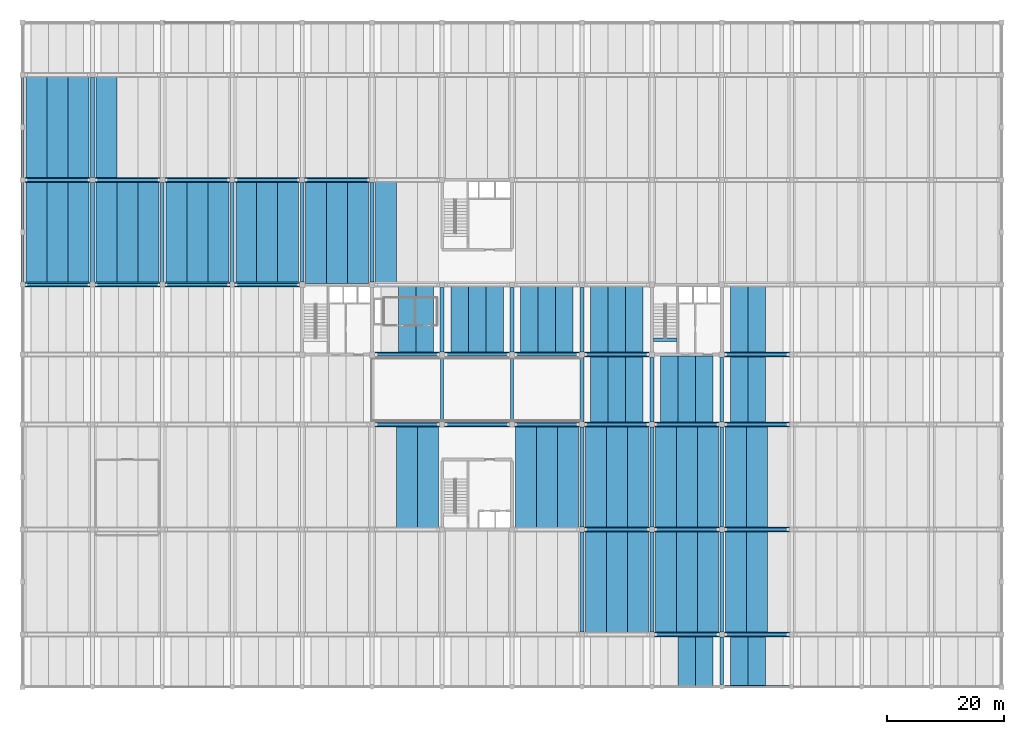
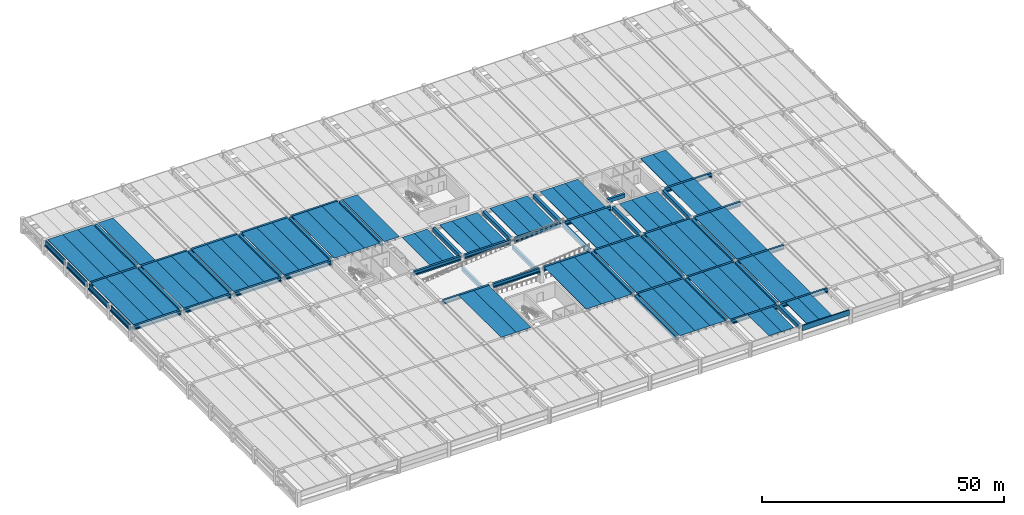
# One storey, part 3 of 19: 118 beams.
"""IFC4 building model written with IfcOpenShell, lengths in metres."""

from ifc_helpers import new_model, si_unit, direction, frame, origin, origin_2d, place, context, subcontext, project, spatial, polyline, rectangle, outline, extrude, material, material_profile, profile_set, type_object, element, save


model = new_model("IFC4")

# Units and contexts
model_context = context("Model", 3, precision=1e-05, world=origin(), true_north=direction((0.0, 1.0)))
body_context = subcontext(model_context, "Body", "Model", "MODEL_VIEW")
ifc_project = project(units=[si_unit("LENGTHUNIT", "METRE"), si_unit("AREAUNIT", "SQUARE_METRE"), si_unit("VOLUMEUNIT", "CUBIC_METRE"), si_unit("PLANEANGLEUNIT", "RADIAN"), si_unit("MASSUNIT", "GRAM", prefix="KILO")], contexts=[model_context])

# Site, building, storey
site_placement = place(None, origin())
site = spatial("IfcSite", under=ifc_project, at=site_placement, CompositionType="ELEMENT")
building_placement = place(site_placement, origin())
building = spatial("IfcBuilding", under=site, at=building_placement, Name="Girod Span Mobility Hub", CompositionType="ELEMENT")
storey_placement = place(building_placement, frame((0.0, 0.0, 9.60009765625)))
storey = spatial("IfcBuildingStorey", under=building, at=storey_placement, Name="L02", CompositionType="ELEMENT", Elevation=9.60009765625)

# Beams
ifc_material_1 = material(Name="Concrete C50/60", Category="concrete")
ifc_material_profile_1 = material_profile(ifc_material_1, outline(polyline([(-1.5, 0.35009765625), (-1.5, 0.2548828125), (-0.840087890625, 0.2548828125), (-0.81494140625, -0.35009765625), (-0.68505859375, -0.35009765625), (-0.659912109375, 0.2548828125), (0.659912109375, 0.2548828125), (0.68505859375, -0.35009765625), (0.81494140625, -0.35009765625), (0.840087890625, 0.2548828125), (1.5, 0.2548828125), (1.5, 0.35009765625), (-1.5, 0.35009765625)])), Name="DT-3000X700")
ifc_profile_set_1 = profile_set([ifc_material_profile_1], Name="Concrete C50/60")
beam_type_1 = type_object("IfcBeamType", Name="BM-DT-3000X700", PredefinedType="JOIST", material=ifc_profile_set_1)
for number, where, z_axis, x_axis, name in (
    (1, (66.0, 57.2470703125, 3.284912109375), (0.0, 1.0, 0.0), (-1.0, 0.0, 0.0), "Double-Tee Deck 6/E-2 L02"),
    (2, (69.0, 57.2470703125, 3.284912109375), (0.0, 1.0, 0.0), (-1.0, 0.0, 0.0), "Double-Tee Deck 6/E-3 L02"),
    (3, (75.0, 57.2470703125, 3.284912109375), (0.0, 1.0, 0.0), (-1.0, 0.0, 0.0), "Double-Tee Deck 7/E-1 L02"),
    (4, (78.0, 57.2470703125, 3.284912109375), (0.0, 1.0, 0.0), (-1.0, 0.0, 0.0), "Double-Tee Deck 7/E-2 L02"),
    (5, (81.0, 57.2470703125, 3.284912109375), (0.0, 1.0, 0.0), (-1.0, 0.0, 0.0), "Double-Tee Deck 7/E-3 L02"),
    (6, (87.0, 57.2470703125, 3.284912109375), (0.0, 1.0, 0.0), (-1.0, 0.0, 0.0), "Double-Tee Deck 8/E-1 L02"),
    (7, (90.0, 57.2470703125, 3.284912109375), (0.0, 1.0, 0.0), (-1.0, 0.0, 0.0), "Double-Tee Deck 8/E-2 L02"),
    (8, (93.0, 57.2470703125, 3.284912109375), (0.0, 1.0, 0.0), (-1.0, 0.0, 0.0), "Double-Tee Deck 8/E-3 L02"),
    (9, (99.0, 45.2470703125, 3.284912109375), (0.0, 1.0, 0.0), (-1.0, 0.0, 0.0), "Double-Tee Deck 9/D-1 L02"),
    (10, (102.0, 45.2470703125, 3.284912109375), (0.0, 1.0, 0.0), (-1.0, 0.0, 0.0), "Double-Tee Deck 9/D-2 L02"),
    (11, (105.0, 45.2470703125, 3.284912109375), (0.0, 1.0, 0.0), (-1.0, 0.0, 0.0), "Double-Tee Deck 9/D-3 L02"),
    (12, (99.0, 57.2470703125, 3.284912109375), (0.0, 1.0, 0.0), (-1.0, 0.0, 0.0), "Double-Tee Deck 9/E-1 L02"),
    (13, (102.0, 57.2470703125, 3.284912109375), (0.0, 1.0, 0.0), (-1.0, 0.0, 0.0), "Double-Tee Deck 9/E-2 L02"),
    (14, (105.0, 57.2470703125, 3.284912109375), (0.0, 1.0, 0.0), (-1.0, 0.0, 0.0), "Double-Tee Deck 9/E-3 L02"),
):
    element("IfcBeam", number, at=place(storey_placement, frame(where, z_axis=z_axis, x_axis=x_axis)), inside=storey, type_object=beam_type_1, Name=name, PredefinedType="JOIST", context=body_context, shape_type="SweptSolid", body=[
        extrude(outline(polyline([(-1.5, 0.35009765625), (-1.5, 0.2548828125), (-0.840087890625, 0.2548828125), (-0.81494140625, -0.35009765625), (-0.68505859375, -0.35009765625), (-0.659912109375, 0.2548828125), (0.659912109375, 0.2548828125), (0.68505859375, -0.35009765625), (0.81494140625, -0.35009765625), (0.840087890625, 0.2548828125), (1.5, 0.2548828125), (1.5, 0.35009765625), (-1.5, 0.35009765625)])), origin(), (0.0, 0.0, 1.0), 11.505859375),
    ])
for number, where, z_axis, x_axis, name in (
    (15, (114.0, 0.02197265625, 3.284912109375), (0.0, 1.0, 0.0), (-1.0, 0.0, 0.0), "Double-Tee Deck 10/A-2 L02"),
    (16, (117.0, 0.02197265625, 3.284912109375), (0.0, 1.0, 0.0), (-1.0, 0.0, 0.0), "Double-Tee Deck 10/A-3 L02"),
):
    element("IfcBeam", number, at=place(storey_placement, frame(where, z_axis=z_axis, x_axis=x_axis)), inside=storey, type_object=beam_type_1, Name=name, PredefinedType="JOIST", context=body_context, shape_type="SweptSolid", body=[
        extrude(outline(polyline([(-1.5, 0.35009765625), (-1.5, 0.2548828125), (-0.840087890625, 0.2548828125), (-0.81494140625, -0.35009765625), (-0.68505859375, -0.35009765625), (-0.659912109375, 0.2548828125), (0.659912109375, 0.2548828125), (0.68505859375, -0.35009765625), (0.81494140625, -0.35009765625), (0.840087890625, 0.2548828125), (1.5, 0.2548828125), (1.5, 0.35009765625), (-1.5, 0.35009765625)])), origin(), (0.0, 0.0, 1.0), 8.73095703125),
    ])
for number, where, z_axis, x_axis, name in (
    (17, (111.0, 45.2470703125, 3.284912109375), (0.0, 1.0, 0.0), (-1.0, 0.0, 0.0), "Double-Tee Deck 10/D-1 L02"),
    (18, (114.0, 45.2470703125, 3.284912109375), (0.0, 1.0, 0.0), (-1.0, 0.0, 0.0), "Double-Tee Deck 10/D-2 L02"),
    (19, (117.0, 45.2470703125, 3.284912109375), (0.0, 1.0, 0.0), (-1.0, 0.0, 0.0), "Double-Tee Deck 10/D-3 L02"),
):
    element("IfcBeam", number, at=place(storey_placement, frame(where, z_axis=z_axis, x_axis=x_axis)), inside=storey, type_object=beam_type_1, Name=name, PredefinedType="JOIST", context=body_context, shape_type="SweptSolid", body=[
        extrude(outline(polyline([(-1.5, 0.35009765625), (-1.5, 0.2548828125), (-0.840087890625, 0.2548828125), (-0.81494140625, -0.35009765625), (-0.68505859375, -0.35009765625), (-0.659912109375, 0.2548828125), (0.659912109375, 0.2548828125), (0.68505859375, -0.35009765625), (0.81494140625, -0.35009765625), (0.840087890625, 0.2548828125), (1.5, 0.2548828125), (1.5, 0.35009765625), (-1.5, 0.35009765625)])), origin(), (0.0, 0.0, 1.0), 11.505859375),
    ])
for number, where, z_axis, x_axis, name in (
    (20, (123.0, 0.02197265625, 3.284912109375), (0.0, 1.0, 0.0), (-1.0, 0.0, 0.0), "Double-Tee Deck 11/A-1 L02"),
    (21, (126.0, 0.02197265625, 3.284912109375), (0.0, 1.0, 0.0), (-1.0, 0.0, 0.0), "Double-Tee Deck 11/A-2 L02"),
):
    element("IfcBeam", number, at=place(storey_placement, frame(where, z_axis=z_axis, x_axis=x_axis)), inside=storey, type_object=beam_type_1, Name=name, PredefinedType="JOIST", context=body_context, shape_type="SweptSolid", body=[
        extrude(outline(polyline([(-1.5, 0.35009765625), (-1.5, 0.2548828125), (-0.840087890625, 0.2548828125), (-0.81494140625, -0.35009765625), (-0.68505859375, -0.35009765625), (-0.659912109375, 0.2548828125), (0.659912109375, 0.2548828125), (0.68505859375, -0.35009765625), (0.81494140625, -0.35009765625), (0.840087890625, 0.2548828125), (1.5, 0.2548828125), (1.5, 0.35009765625), (-1.5, 0.35009765625)])), origin(), (0.0, 0.0, 1.0), 8.73095703125),
    ])
for number, where, z_axis, x_axis, name in (
    (22, (123.0, 45.2470703125, 3.284912109375), (0.0, 1.0, 0.0), (-1.0, 0.0, 0.0), "Double-Tee Deck 11/D-1 L02"),
    (23, (126.0, 45.2470703125, 3.284912109375), (0.0, 1.0, 0.0), (-1.0, 0.0, 0.0), "Double-Tee Deck 11/D-2 L02"),
    (24, (123.0, 57.2470703125, 3.284912109375), (0.0, 1.0, 0.0), (-1.0, 0.0, 0.0), "Double-Tee Deck 11/E-1 L02"),
    (25, (126.0, 57.2470703125, 3.284912109375), (0.0, 1.0, 0.0), (-1.0, 0.0, 0.0), "Double-Tee Deck 11/E-2 L02"),
):
    element("IfcBeam", number, at=place(storey_placement, frame(where, z_axis=z_axis, x_axis=x_axis)), inside=storey, type_object=beam_type_1, Name=name, PredefinedType="JOIST", context=body_context, shape_type="SweptSolid", body=[
        extrude(outline(polyline([(-1.5, 0.35009765625), (-1.5, 0.2548828125), (-0.840087890625, 0.2548828125), (-0.81494140625, -0.35009765625), (-0.68505859375, -0.35009765625), (-0.659912109375, 0.2548828125), (0.659912109375, 0.2548828125), (0.68505859375, -0.35009765625), (0.81494140625, -0.35009765625), (0.840087890625, 0.2548828125), (1.5, 0.2548828125), (1.5, 0.35009765625), (-1.5, 0.35009765625)])), origin(), (0.0, 0.0, 1.0), 11.505859375),
    ])
ifc_material_2 = material(Name="Concrete C50/60", Category="concrete")
ifc_material_profile_2 = material_profile(ifc_material_2, outline(polyline([(-1.800048828125, 0.425048828125), (-1.800048828125, 0.324951171875), (-1.0, 0.324951171875), (-0.969970703125, -0.425048828125), (-0.830078125, -0.425048828125), (-0.800048828125, 0.324951171875), (0.800048828125, 0.324951171875), (0.830078125, -0.425048828125), (0.969970703125, -0.425048828125), (1.0, 0.324951171875), (1.800048828125, 0.324951171875), (1.800048828125, 0.425048828125), (-1.800048828125, 0.425048828125)])), Name="DT-3600X850")
ifc_profile_set_2 = profile_set([ifc_material_profile_2], Name="Concrete C50/60")
beam_type_2 = type_object("IfcBeamType", Name="BM-DT-3600X850", PredefinedType="JOIST", material=ifc_profile_set_2)
for number, where, z_axis, x_axis, name in (
    (26, (2.39990234375, 69.2470703125, 3.2099609375), (0.0, 1.0, 0.0), (-1.0, 0.0, 0.0), "Double-Tee Deck 1/F-1 L02"),
    (27, (6.0, 69.2470703125, 3.2099609375), (0.0, 1.0, 0.0), (-1.0, 0.0, 0.0), "Double-Tee Deck 1/F-2 L02"),
    (28, (9.60009765625, 69.2470703125, 3.2099609375), (0.0, 1.0, 0.0), (-1.0, 0.0, 0.0), "Double-Tee Deck 1/F-3 L02"),
    (29, (2.39990234375, 87.2470703125, 3.2099609375), (0.0, 1.0, 0.0), (-1.0, 0.0, 0.0), "Double-Tee Deck 1/G-1 L02"),
    (30, (6.0, 87.2470703125, 3.2099609375), (0.0, 1.0, 0.0), (-1.0, 0.0, 0.0), "Double-Tee Deck 1/G-2 L02"),
    (31, (9.60009765625, 87.2470703125, 3.2099609375), (0.0, 1.0, 0.0), (-1.0, 0.0, 0.0), "Double-Tee Deck 1/G-3 L02"),
    (32, (14.39990234375, 69.2470703125, 3.2099609375), (0.0, 1.0, 0.0), (-1.0, 0.0, 0.0), "Double-Tee Deck 2/F-1 L02"),
    (33, (18.0, 69.2470703125, 3.2099609375), (0.0, 1.0, 0.0), (-1.0, 0.0, 0.0), "Double-Tee Deck 2/F-2 L02"),
    (34, (21.60009765625, 69.2470703125, 3.2099609375), (0.0, 1.0, 0.0), (-1.0, 0.0, 0.0), "Double-Tee Deck 2/F-3 L02"),
    (35, (14.39990234375, 87.2470703125, 3.2099609375), (0.0, 1.0, 0.0), (-1.0, 0.0, 0.0), "Double-Tee Deck 2/G-1 L02"),
    (36, (26.39990234375, 69.2470703125, 3.2099609375), (0.0, 1.0, 0.0), (-1.0, 0.0, 0.0), "Double-Tee Deck 3/F-1 L02"),
    (37, (30.0, 69.2470703125, 3.2099609375), (0.0, 1.0, 0.0), (-1.0, 0.0, 0.0), "Double-Tee Deck 3/F-2 L02"),
    (38, (33.60009765625, 69.2470703125, 3.2099609375), (0.0, 1.0, 0.0), (-1.0, 0.0, 0.0), "Double-Tee Deck 3/F-3 L02"),
    (39, (38.39990234375, 69.2470703125, 3.2099609375), (0.0, 1.0, 0.0), (-1.0, 0.0, 0.0), "Double-Tee Deck 4/F-1 L02"),
    (40, (42.0, 69.2470703125, 3.2099609375), (0.0, 1.0, 0.0), (-1.0, 0.0, 0.0), "Double-Tee Deck 4/F-2 L02"),
    (41, (45.60009765625, 69.2470703125, 3.2099609375), (0.0, 1.0, 0.0), (-1.0, 0.0, 0.0), "Double-Tee Deck 4/F-3 L02"),
    (42, (50.39990234375, 69.2470703125, 3.2099609375), (0.0, 1.0, 0.0), (-1.0, 0.0, 0.0), "Double-Tee Deck 5/F-1 L02"),
    (43, (54.0, 69.2470703125, 3.2099609375), (0.0, 1.0, 0.0), (-1.0, 0.0, 0.0), "Double-Tee Deck 5/F-2 L02"),
    (44, (57.60009765625, 69.2470703125, 3.2099609375), (0.0, 1.0, 0.0), (-1.0, 0.0, 0.0), "Double-Tee Deck 5/F-3 L02"),
    (45, (66.0, 27.2470703125, 3.2099609375), (0.0, 1.0, 0.0), (-1.0, 0.0, 0.0), "Double-Tee Deck 6/C-2 L02"),
    (46, (69.60009765625, 27.2470703125, 3.2099609375), (0.0, 1.0, 0.0), (-1.0, 0.0, 0.0), "Double-Tee Deck 6/C-3 L02"),
    (47, (62.39990234375, 69.2470703125, 3.2099609375), (0.0, 1.0, 0.0), (-1.0, 0.0, 0.0), "Double-Tee Deck 6/F-1 L02"),
    (48, (86.39990234375, 27.2470703125, 3.2099609375), (0.0, 1.0, 0.0), (-1.0, 0.0, 0.0), "Double-Tee Deck 8/C-1 L02"),
    (49, (90.0, 27.2470703125, 3.2099609375), (0.0, 1.0, 0.0), (-1.0, 0.0, 0.0), "Double-Tee Deck 8/C-2 L02"),
    (50, (93.60009765625, 27.2470703125, 3.2099609375), (0.0, 1.0, 0.0), (-1.0, 0.0, 0.0), "Double-Tee Deck 8/C-3 L02"),
    (51, (98.39990234375, 9.2470703125, 3.2099609375), (0.0, 1.0, 0.0), (-1.0, 0.0, 0.0), "Double-Tee Deck 9/B-1 L02"),
    (52, (102.0, 9.2470703125, 3.2099609375), (0.0, 1.0, 0.0), (-1.0, 0.0, 0.0), "Double-Tee Deck 9/B-2 L02"),
    (53, (105.60009765625, 9.2470703125, 3.2099609375), (0.0, 1.0, 0.0), (-1.0, 0.0, 0.0), "Double-Tee Deck 9/B-3 L02"),
    (54, (98.39990234375, 27.2470703125, 3.2099609375), (0.0, 1.0, 0.0), (-1.0, 0.0, 0.0), "Double-Tee Deck 9/C-1 L02"),
    (55, (102.0, 27.2470703125, 3.2099609375), (0.0, 1.0, 0.0), (-1.0, 0.0, 0.0), "Double-Tee Deck 9/C-2 L02"),
    (56, (105.60009765625, 27.2470703125, 3.2099609375), (0.0, 1.0, 0.0), (-1.0, 0.0, 0.0), "Double-Tee Deck 9/C-3 L02"),
    (57, (110.39990234375, 9.2470703125, 3.2099609375), (0.0, 1.0, 0.0), (-1.0, 0.0, 0.0), "Double-Tee Deck 10/B-1 L02"),
    (58, (114.0, 9.2470703125, 3.2099609375), (0.0, 1.0, 0.0), (-1.0, 0.0, 0.0), "Double-Tee Deck 10/B-2 L02"),
    (59, (117.60009765625, 9.2470703125, 3.2099609375), (0.0, 1.0, 0.0), (-1.0, 0.0, 0.0), "Double-Tee Deck 10/B-3 L02"),
    (60, (110.39990234375, 27.2470703125, 3.2099609375), (0.0, 1.0, 0.0), (-1.0, 0.0, 0.0), "Double-Tee Deck 10/C-1 L02"),
    (61, (114.0, 27.2470703125, 3.2099609375), (0.0, 1.0, 0.0), (-1.0, 0.0, 0.0), "Double-Tee Deck 10/C-2 L02"),
    (62, (117.60009765625, 27.2470703125, 3.2099609375), (0.0, 1.0, 0.0), (-1.0, 0.0, 0.0), "Double-Tee Deck 10/C-3 L02"),
    (63, (122.39990234375, 9.2470703125, 3.2099609375), (0.0, 1.0, 0.0), (-1.0, 0.0, 0.0), "Double-Tee Deck 11/B-1 L02"),
    (64, (126.0, 9.2470703125, 3.2099609375), (0.0, 1.0, 0.0), (-1.0, 0.0, 0.0), "Double-Tee Deck 11/B-2 L02"),
    (65, (122.39990234375, 27.2470703125, 3.2099609375), (0.0, 1.0, 0.0), (-1.0, 0.0, 0.0), "Double-Tee Deck 11/C-1 L02"),
    (66, (126.0, 27.2470703125, 3.2099609375), (0.0, 1.0, 0.0), (-1.0, 0.0, 0.0), "Double-Tee Deck 11/C-2 L02"),
):
    element("IfcBeam", number, at=place(storey_placement, frame(where, z_axis=z_axis, x_axis=x_axis)), inside=storey, type_object=beam_type_2, Name=name, PredefinedType="JOIST", context=body_context, shape_type="SweptSolid", body=[
        extrude(outline(polyline([(-1.800048828125, 0.425048828125), (-1.800048828125, 0.324951171875), (-1.0, 0.324951171875), (-0.969970703125, -0.425048828125), (-0.830078125, -0.425048828125), (-0.800048828125, 0.324951171875), (0.800048828125, 0.324951171875), (0.830078125, -0.425048828125), (0.969970703125, -0.425048828125), (1.0, 0.324951171875), (1.800048828125, 0.324951171875), (1.800048828125, 0.425048828125), (-1.800048828125, 0.425048828125)])), origin(), (0.0, 0.0, 1.0), 17.505859375),
    ])
ifc_material_3 = material(Name="Concrete C50/60", Category="concrete")
ifc_material_profile_3 = material_profile(ifc_material_3, outline(polyline([(-0.425048828125, -0.47509765625), (0.425048828125, -0.47509765625), (0.425048828125, -0.155029296875), (0.25, -0.155029296875), (0.25, 0.47509765625), (-0.25, 0.47509765625), (-0.25, -0.155029296875), (-0.425048828125, -0.155029296875), (-0.425048828125, -0.47509765625)])), Name="IT-850X950")
ifc_profile_set_3 = profile_set([ifc_material_profile_3], Name="Concrete C50/60")
beam_type_3 = type_object("IfcBeamType", Name="BM-IT-850X950", PredefinedType="T_BEAM", material=ifc_profile_set_3)
for number, where, z_axis, x_axis, name in (
    (67, (108.422119140625, 9.0, 3.159912109375), (1.0, 0.0, 0.0), (0.0, 1.0, 0.0), "Girder 10-11/B L02"),
    (68, (120.422119140625, 9.0, 3.159912109375), (1.0, 0.0, 0.0), (0.0, 1.0, 0.0), "Girder 11-12/B L02"),
    (69, (96.422119140625, 27.0, 3.159912109375), (1.0, 0.0, 0.0), (0.0, 1.0, 0.0), "Girder 9-10/C L02"),
    (70, (108.422119140625, 27.0, 3.159912109375), (1.0, 0.0, 0.0), (0.0, 1.0, 0.0), "Girder 10-11/C L02"),
    (71, (120.422119140625, 27.0, 3.159912109375), (1.0, 0.0, 0.0), (0.0, 1.0, 0.0), "Girder 11-12/C L02"),
):
    element("IfcBeam", number, at=place(storey_placement, frame(where, z_axis=z_axis, x_axis=x_axis)), inside=storey, type_object=beam_type_3, Name=name, PredefinedType="T_BEAM", context=body_context, shape_type="SweptSolid", body=[
        extrude(outline(polyline([(-0.425048828125, -0.47509765625), (0.425048828125, -0.47509765625), (0.425048828125, -0.155029296875), (0.25, -0.155029296875), (0.25, 0.47509765625), (-0.25, 0.47509765625), (-0.25, -0.155029296875), (-0.425048828125, -0.155029296875), (-0.425048828125, -0.47509765625)])), origin(), (0.0, 0.0, 1.0), 11.15576171875),
    ])
for number, where, z_axis, x_axis, name in (
    (72, (60.447021484375, 45.0, 3.159912109375), (1.0, 0.0, 0.0), (0.0, 1.0, 0.0), "Girder 6-7/D L02"),
    (73, (72.447021484375, 45.0, 3.159912109375), (1.0, 0.0, 0.0), (0.0, 1.0, 0.0), "Girder 7-8/D L02"),
    (74, (84.447021484375, 45.0, 3.159912109375), (1.0, 0.0, 0.0), (0.0, 1.0, 0.0), "Girder 8-9/D L02"),
    (75, (96.447021484375, 45.0, 3.159912109375), (1.0, 0.0, 0.0), (0.0, 1.0, 0.0), "Girder 9-10/D L02"),
    (76, (108.447021484375, 45.0, 3.159912109375), (1.0, 0.0, 0.0), (0.0, 1.0, 0.0), "Girder 10-11/D L02"),
):
    element("IfcBeam", number, at=place(storey_placement, frame(where, z_axis=z_axis, x_axis=x_axis)), inside=storey, type_object=beam_type_3, Name=name, PredefinedType="T_BEAM", context=body_context, shape_type="SweptSolid", body=[
        extrude(outline(polyline([(-0.425048828125, -0.47509765625), (0.425048828125, -0.47509765625), (0.425048828125, -0.155029296875), (0.25, -0.155029296875), (0.25, 0.47509765625), (-0.25, 0.47509765625), (-0.25, -0.155029296875), (-0.425048828125, -0.155029296875), (-0.425048828125, -0.47509765625)])), origin(), (0.0, 0.0, 1.0), 11.10595703125),
    ])
beam_1_placement = place(storey_placement, frame((120.447021484375, 45.0, 3.159912109375), z_axis=(1.0, 0.0, 0.0), x_axis=(0.0, 1.0, 0.0)))
element("IfcBeam", 77, at=beam_1_placement, inside=storey, type_object=beam_type_3, Name="Girder 11-12/D L02", PredefinedType="T_BEAM", context=body_context, shape_type="SweptSolid", body=[
    extrude(outline(polyline([(-0.425048828125, -0.47509765625), (0.425048828125, -0.47509765625), (0.425048828125, -0.155029296875), (0.25, -0.155029296875), (0.25, 0.47509765625), (-0.25, 0.47509765625), (-0.25, -0.155029296875), (-0.425048828125, -0.155029296875), (-0.425048828125, -0.47509765625)])), origin(), (0.0, 0.0, 1.0), 11.130859375),
])
for number, where, z_axis, x_axis, name in (
    (78, (60.447021484375, 57.0, 3.159912109375), (1.0, 0.0, 0.0), (0.0, 1.0, 0.0), "Girder 6-7/E L02"),
    (79, (72.447021484375, 57.0, 3.159912109375), (1.0, 0.0, 0.0), (0.0, 1.0, 0.0), "Girder 7-8/E L02"),
    (80, (84.447021484375, 57.0, 3.159912109375), (1.0, 0.0, 0.0), (0.0, 1.0, 0.0), "Girder 8-9/E L02"),
    (81, (96.447021484375, 57.0, 3.159912109375), (1.0, 0.0, 0.0), (0.0, 1.0, 0.0), "Girder 9-10/E L02"),
):
    element("IfcBeam", number, at=place(storey_placement, frame(where, z_axis=z_axis, x_axis=x_axis)), inside=storey, type_object=beam_type_3, Name=name, PredefinedType="T_BEAM", context=body_context, shape_type="SweptSolid", body=[
        extrude(outline(polyline([(-0.425048828125, -0.47509765625), (0.425048828125, -0.47509765625), (0.425048828125, -0.155029296875), (0.25, -0.155029296875), (0.25, 0.47509765625), (-0.25, 0.47509765625), (-0.25, -0.155029296875), (-0.425048828125, -0.155029296875), (-0.425048828125, -0.47509765625)])), origin(), (0.0, 0.0, 1.0), 11.10595703125),
    ])
beam_2_placement = place(storey_placement, frame((120.447021484375, 57.0, 3.159912109375), z_axis=(1.0, 0.0, 0.0), x_axis=(0.0, 1.0, 0.0)))
element("IfcBeam", 82, at=beam_2_placement, inside=storey, type_object=beam_type_3, Name="Girder 11-12/E L02", PredefinedType="T_BEAM", context=body_context, shape_type="SweptSolid", body=[
    extrude(outline(polyline([(-0.425048828125, -0.47509765625), (0.425048828125, -0.47509765625), (0.425048828125, -0.155029296875), (0.25, -0.155029296875), (0.25, 0.47509765625), (-0.25, 0.47509765625), (-0.25, -0.155029296875), (-0.425048828125, -0.155029296875), (-0.425048828125, -0.47509765625)])), origin(), (0.0, 0.0, 1.0), 11.130859375),
])
for number, where, z_axis, x_axis, name in (
    (83, (0.422119140625, 69.0, 3.159912109375), (1.0, 0.0, 0.0), (0.0, 1.0, 0.0), "Girder 1-2/F L02"),
    (84, (12.422119140625, 69.0, 3.159912109375), (1.0, 0.0, 0.0), (0.0, 1.0, 0.0), "Girder 2-3/F L02"),
    (85, (24.422119140625, 69.0, 3.159912109375), (1.0, 0.0, 0.0), (0.0, 1.0, 0.0), "Girder 3-4/F L02"),
):
    element("IfcBeam", number, at=place(storey_placement, frame(where, z_axis=z_axis, x_axis=x_axis)), inside=storey, type_object=beam_type_3, Name=name, PredefinedType="T_BEAM", context=body_context, shape_type="SweptSolid", body=[
        extrude(outline(polyline([(-0.425048828125, -0.47509765625), (0.425048828125, -0.47509765625), (0.425048828125, -0.155029296875), (0.25, -0.155029296875), (0.25, 0.47509765625), (-0.25, 0.47509765625), (-0.25, -0.155029296875), (-0.425048828125, -0.155029296875), (-0.425048828125, -0.47509765625)])), origin(), (0.0, 0.0, 1.0), 11.15576171875),
    ])
beam_3_placement = place(storey_placement, frame((36.422119140625, 69.0, 3.159912109375), z_axis=(1.0, 0.0, 0.0), x_axis=(0.0, 1.0, 0.0)))
element("IfcBeam", 86, at=beam_3_placement, inside=storey, type_object=beam_type_3, Name="Girder 4-5/F L02", PredefinedType="T_BEAM", context=body_context, shape_type="SweptSolid", body=[
    extrude(outline(polyline([(-0.425048828125, -0.47509765625), (0.425048828125, -0.47509765625), (0.425048828125, -0.155029296875), (0.25, -0.155029296875), (0.25, 0.47509765625), (-0.25, 0.47509765625), (-0.25, -0.155029296875), (-0.425048828125, -0.155029296875), (-0.425048828125, -0.47509765625)])), origin(), (0.0, 0.0, 1.0), 11.130859375),
])
for number, where, z_axis, x_axis, name in (
    (87, (0.422119140625, 87.0, 3.159912109375), (1.0, 0.0, 0.0), (0.0, 1.0, 0.0), "Girder 1-2/G L02"),
    (88, (12.422119140625, 87.0, 3.159912109375), (1.0, 0.0, 0.0), (0.0, 1.0, 0.0), "Girder 2-3/G L02"),
    (89, (24.422119140625, 87.0, 3.159912109375), (1.0, 0.0, 0.0), (0.0, 1.0, 0.0), "Girder 3-4/G L02"),
    (90, (36.422119140625, 87.0, 3.159912109375), (1.0, 0.0, 0.0), (0.0, 1.0, 0.0), "Girder 4-5/G L02"),
    (91, (48.422119140625, 87.0, 3.159912109375), (1.0, 0.0, 0.0), (0.0, 1.0, 0.0), "Girder 5-6/G L02"),
):
    element("IfcBeam", number, at=place(storey_placement, frame(where, z_axis=z_axis, x_axis=x_axis)), inside=storey, type_object=beam_type_3, Name=name, PredefinedType="T_BEAM", context=body_context, shape_type="SweptSolid", body=[
        extrude(outline(polyline([(-0.425048828125, -0.47509765625), (0.425048828125, -0.47509765625), (0.425048828125, -0.155029296875), (0.25, -0.155029296875), (0.25, 0.47509765625), (-0.25, 0.47509765625), (-0.25, -0.155029296875), (-0.425048828125, -0.155029296875), (-0.425048828125, -0.47509765625)])), origin(), (0.0, 0.0, 1.0), 11.15576171875),
    ])
ifc_material_4 = material(Name="Concrete C40/50", Category="concrete")
ifc_material_profile_4 = material_profile(ifc_material_4, rectangle(XDim=0.550048828125, YDim=0.949951171875, at=origin_2d()), Name="RK-550X950")
ifc_profile_set_4 = profile_set([ifc_material_profile_4], Name="Concrete C40/50")
beam_type_4 = type_object("IfcBeamType", Name="BM-RK-550X950", PredefinedType="BEAM", material=ifc_profile_set_4)
beam_4_placement = place(storey_placement, frame((108.2470703125, 59.550048828125, 3.159912109375), z_axis=(1.0, 0.0, 0.0), x_axis=(0.0, 1.0, 0.0)))
element("IfcBeam", 92, at=beam_4_placement, inside=storey, type_object=beam_type_4, Name="Stair ST-2 Landing Header Beam L02", PredefinedType="BEAM", context=body_context, shape_type="SweptSolid", body=[
    extrude(rectangle(XDim=0.550048828125, YDim=0.949951171875, at=origin_2d()), origin(), (0.0, 0.0, 1.0), 4.055908203125),
])
for number, where, z_axis, x_axis, name in (
    (93, (72.0, 45.447021484375, 0.51171875), (0.0, 1.0, 0.0), (-1.0, 0.0, 0.0), "Vehicular Ramp Support Beam X=72 L02"),
    (94, (84.0, 45.447021484375, 1.7783203125), (0.0, 1.0, 0.0), (-1.0, 0.0, 0.0), "Vehicular Ramp Support Beam X=84 L02"),
):
    element("IfcBeam", number, at=place(storey_placement, frame(where, z_axis=z_axis, x_axis=x_axis)), inside=storey, type_object=beam_type_4, Name=name, PredefinedType="BEAM", context=body_context, shape_type="SweptSolid", body=[
        extrude(rectangle(XDim=0.550048828125, YDim=0.949951171875, at=origin_2d()), origin(), (0.0, 0.0, 1.0), 11.10595703125),
    ])
ifc_material_5 = material(Name="Concrete C40/50", Category="concrete")
ifc_material_profile_5 = material_profile(ifc_material_5, outline(polyline([(-0.22509765625, -0.675048828125), (0.22509765625, -0.675048828125), (0.22509765625, -0.324951171875), (0.02490234375, -0.324951171875), (0.02490234375, 0.675048828125), (-0.22509765625, 0.675048828125), (-0.22509765625, -0.675048828125)])), Name="SP-450X1350")
ifc_profile_set_5 = profile_set([ifc_material_profile_5], Name="Concrete C40/50")
beam_type_5 = type_object("IfcBeamType", Name="BM-SP-450X1350", PredefinedType="SPANDREL", material=ifc_profile_set_5)
beam_5_placement = place(storey_placement, frame((120.422119140625, 0.0, 2.9599609375), z_axis=(1.0, 0.0, 0.0), x_axis=(0.0, 1.0, 0.0)))
element("IfcBeam", 95, at=beam_5_placement, inside=storey, type_object=beam_type_5, Name="Girder 11-12/A L02", PredefinedType="SPANDREL", context=body_context, shape_type="SweptSolid", body=[
    extrude(outline(polyline([(-0.22509765625, -0.675048828125), (0.22509765625, -0.675048828125), (0.22509765625, -0.324951171875), (0.02490234375, -0.324951171875), (0.02490234375, 0.675048828125), (-0.22509765625, 0.675048828125), (-0.22509765625, -0.675048828125)])), origin(), (0.0, 0.0, 1.0), 11.15576171875),
])
for number, where, z_axis, x_axis, name in (
    (96, (0.0, 69.422119140625, 2.9599609375), (0.0, 1.0, 0.0), (-1.0, 0.0, 0.0), "Perimeter Spandrel 1/F-S L02"),
    (97, (0.0, 78.471923828125, 2.9599609375), (0.0, 1.0, 0.0), (-1.0, 0.0, 0.0), "Perimeter Spandrel 1/F-N L02"),
    (98, (0.0, 87.422119140625, 2.9599609375), (0.0, 1.0, 0.0), (-1.0, 0.0, 0.0), "Perimeter Spandrel 1/G-S L02"),
    (99, (0.0, 96.471923828125, 2.9599609375), (0.0, 1.0, 0.0), (-1.0, 0.0, 0.0), "Perimeter Spandrel 1/G-N L02"),
):
    element("IfcBeam", number, at=place(storey_placement, frame(where, z_axis=z_axis, x_axis=x_axis)), inside=storey, type_object=beam_type_5, Name=name, PredefinedType="SPANDREL", context=body_context, shape_type="SweptSolid", body=[
        extrude(outline(polyline([(-0.22509765625, -0.675048828125), (0.22509765625, -0.675048828125), (0.22509765625, -0.324951171875), (0.02490234375, -0.324951171875), (0.02490234375, 0.675048828125), (-0.22509765625, 0.675048828125), (-0.22509765625, -0.675048828125)])), origin(), (0.0, 0.0, 1.0), 8.10595703125),
    ])
ifc_material_6 = material(Name="Concrete C40/50", Category="concrete")
ifc_material_profile_6 = material_profile(ifc_material_6, rectangle(XDim=0.64990234375, YDim=1.0, at=origin_2d()), Name="TG-650X1000")
ifc_profile_set_6 = profile_set([ifc_material_profile_6], Name="Concrete C40/50")
beam_type_6 = type_object("IfcBeamType", Name="BM-TG-650X1000", PredefinedType="T_BEAM", material=ifc_profile_set_6)
for number, where, z_axis, x_axis, name in (
    (100, (12.0, 69.422119140625, 3.135009765625), (0.0, 1.0, 0.0), (-1.0, 0.0, 0.0), "Tie Girder 2/F-G L02"),
    (101, (12.0, 87.422119140625, 3.135009765625), (0.0, 1.0, 0.0), (-1.0, 0.0, 0.0), "Tie Girder 2/G-H L02"),
    (102, (24.0, 69.422119140625, 3.135009765625), (0.0, 1.0, 0.0), (-1.0, 0.0, 0.0), "Tie Girder 3/F-G L02"),
    (103, (36.0, 69.422119140625, 3.135009765625), (0.0, 1.0, 0.0), (-1.0, 0.0, 0.0), "Tie Girder 4/F-G L02"),
):
    element("IfcBeam", number, at=place(storey_placement, frame(where, z_axis=z_axis, x_axis=x_axis)), inside=storey, type_object=beam_type_6, Name=name, PredefinedType="T_BEAM", context=body_context, shape_type="SweptSolid", body=[
        extrude(rectangle(XDim=0.64990234375, YDim=1.0, at=origin_2d()), origin(), (0.0, 0.0, 1.0), 17.15576171875),
    ])
for number, where, z_axis, x_axis, name in (
    (104, (48.0, 69.447021484375, 3.135009765625), (0.0, 1.0, 0.0), (-1.0, 0.0, 0.0), "Tie Girder 5/F-G L02"),
    (105, (60.0, 69.447021484375, 3.135009765625), (0.0, 1.0, 0.0), (-1.0, 0.0, 0.0), "Tie Girder 6/F-G L02"),
):
    element("IfcBeam", number, at=place(storey_placement, frame(where, z_axis=z_axis, x_axis=x_axis)), inside=storey, type_object=beam_type_6, Name=name, PredefinedType="T_BEAM", context=body_context, shape_type="SweptSolid", body=[
        extrude(rectangle(XDim=0.64990234375, YDim=1.0, at=origin_2d()), origin(), (0.0, 0.0, 1.0), 17.130859375),
    ])
for number, where, z_axis, x_axis, name in (
    (106, (72.0, 57.447021484375, 3.135009765625), (0.0, 1.0, 0.0), (-1.0, 0.0, 0.0), "Tie Girder 7/E-F L02"),
    (107, (84.0, 57.447021484375, 3.135009765625), (0.0, 1.0, 0.0), (-1.0, 0.0, 0.0), "Tie Girder 8/E-F L02"),
):
    element("IfcBeam", number, at=place(storey_placement, frame(where, z_axis=z_axis, x_axis=x_axis)), inside=storey, type_object=beam_type_6, Name=name, PredefinedType="T_BEAM", context=body_context, shape_type="SweptSolid", body=[
        extrude(rectangle(XDim=0.64990234375, YDim=1.0, at=origin_2d()), origin(), (0.0, 0.0, 1.0), 11.10595703125),
    ])
beam_6_placement = place(storey_placement, frame((96.0, 9.422119140625, 3.135009765625), z_axis=(0.0, 1.0, 0.0), x_axis=(-1.0, 0.0, 0.0)))
element("IfcBeam", 108, at=beam_6_placement, inside=storey, type_object=beam_type_6, Name="Tie Girder 9/B-C L02", PredefinedType="T_BEAM", context=body_context, shape_type="SweptSolid", body=[
    extrude(rectangle(XDim=0.64990234375, YDim=1.0, at=origin_2d()), origin(), (0.0, 0.0, 1.0), 17.15576171875),
])
beam_7_placement = place(storey_placement, frame((96.0, 27.422119140625, 3.135009765625), z_axis=(0.0, 1.0, 0.0), x_axis=(-1.0, 0.0, 0.0)))
element("IfcBeam", 109, at=beam_7_placement, inside=storey, type_object=beam_type_6, Name="Tie Girder 9/C-D L02", PredefinedType="T_BEAM", context=body_context, shape_type="SweptSolid", body=[
    extrude(rectangle(XDim=0.64990234375, YDim=1.0, at=origin_2d()), origin(), (0.0, 0.0, 1.0), 17.130859375),
])
for number, where, z_axis, x_axis, name in (
    (110, (96.0, 45.447021484375, 3.135009765625), (0.0, 1.0, 0.0), (-1.0, 0.0, 0.0), "Tie Girder 9/D-E L02"),
    (111, (96.0, 57.447021484375, 3.135009765625), (0.0, 1.0, 0.0), (-1.0, 0.0, 0.0), "Tie Girder 9/E-F L02"),
):
    element("IfcBeam", number, at=place(storey_placement, frame(where, z_axis=z_axis, x_axis=x_axis)), inside=storey, type_object=beam_type_6, Name=name, PredefinedType="T_BEAM", context=body_context, shape_type="SweptSolid", body=[
        extrude(rectangle(XDim=0.64990234375, YDim=1.0, at=origin_2d()), origin(), (0.0, 0.0, 1.0), 11.10595703125),
    ])
beam_8_placement = place(storey_placement, frame((108.0, 9.422119140625, 3.135009765625), z_axis=(0.0, 1.0, 0.0), x_axis=(-1.0, 0.0, 0.0)))
element("IfcBeam", 112, at=beam_8_placement, inside=storey, type_object=beam_type_6, Name="Tie Girder 10/B-C L02", PredefinedType="T_BEAM", context=body_context, shape_type="SweptSolid", body=[
    extrude(rectangle(XDim=0.64990234375, YDim=1.0, at=origin_2d()), origin(), (0.0, 0.0, 1.0), 17.15576171875),
])
beam_9_placement = place(storey_placement, frame((108.0, 27.422119140625, 3.135009765625), z_axis=(0.0, 1.0, 0.0), x_axis=(-1.0, 0.0, 0.0)))
element("IfcBeam", 113, at=beam_9_placement, inside=storey, type_object=beam_type_6, Name="Tie Girder 10/C-D L02", PredefinedType="T_BEAM", context=body_context, shape_type="SweptSolid", body=[
    extrude(rectangle(XDim=0.64990234375, YDim=1.0, at=origin_2d()), origin(), (0.0, 0.0, 1.0), 17.130859375),
])
beam_10_placement = place(storey_placement, frame((108.0, 45.447021484375, 3.135009765625), z_axis=(0.0, 1.0, 0.0), x_axis=(-1.0, 0.0, 0.0)))
element("IfcBeam", 114, at=beam_10_placement, inside=storey, type_object=beam_type_6, Name="Tie Girder 10/D-E L02", PredefinedType="T_BEAM", context=body_context, shape_type="SweptSolid", body=[
    extrude(rectangle(XDim=0.64990234375, YDim=1.0, at=origin_2d()), origin(), (0.0, 0.0, 1.0), 11.10595703125),
])
beam_11_placement = place(storey_placement, frame((120.0, 0.422119140625, 3.135009765625), z_axis=(0.0, 1.0, 0.0), x_axis=(-1.0, 0.0, 0.0)))
element("IfcBeam", 115, at=beam_11_placement, inside=storey, type_object=beam_type_6, Name="Tie Girder 11/A-B L02", PredefinedType="T_BEAM", context=body_context, shape_type="SweptSolid", body=[
    extrude(rectangle(XDim=0.64990234375, YDim=1.0, at=origin_2d()), origin(), (0.0, 0.0, 1.0), 8.15576171875),
])
beam_12_placement = place(storey_placement, frame((120.0, 9.422119140625, 3.135009765625), z_axis=(0.0, 1.0, 0.0), x_axis=(-1.0, 0.0, 0.0)))
element("IfcBeam", 116, at=beam_12_placement, inside=storey, type_object=beam_type_6, Name="Tie Girder 11/B-C L02", PredefinedType="T_BEAM", context=body_context, shape_type="SweptSolid", body=[
    extrude(rectangle(XDim=0.64990234375, YDim=1.0, at=origin_2d()), origin(), (0.0, 0.0, 1.0), 17.15576171875),
])
beam_13_placement = place(storey_placement, frame((120.0, 27.422119140625, 3.135009765625), z_axis=(0.0, 1.0, 0.0), x_axis=(-1.0, 0.0, 0.0)))
element("IfcBeam", 117, at=beam_13_placement, inside=storey, type_object=beam_type_6, Name="Tie Girder 11/C-D L02", PredefinedType="T_BEAM", context=body_context, shape_type="SweptSolid", body=[
    extrude(rectangle(XDim=0.64990234375, YDim=1.0, at=origin_2d()), origin(), (0.0, 0.0, 1.0), 17.130859375),
])
beam_14_placement = place(storey_placement, frame((120.0, 45.447021484375, 3.135009765625), z_axis=(0.0, 1.0, 0.0), x_axis=(-1.0, 0.0, 0.0)))
element("IfcBeam", 118, at=beam_14_placement, inside=storey, type_object=beam_type_6, Name="Tie Girder 11/D-E L02", PredefinedType="T_BEAM", context=body_context, shape_type="SweptSolid", body=[
    extrude(rectangle(XDim=0.64990234375, YDim=1.0, at=origin_2d()), origin(), (0.0, 0.0, 1.0), 11.10595703125),
])

save(model, "model.ifc")
